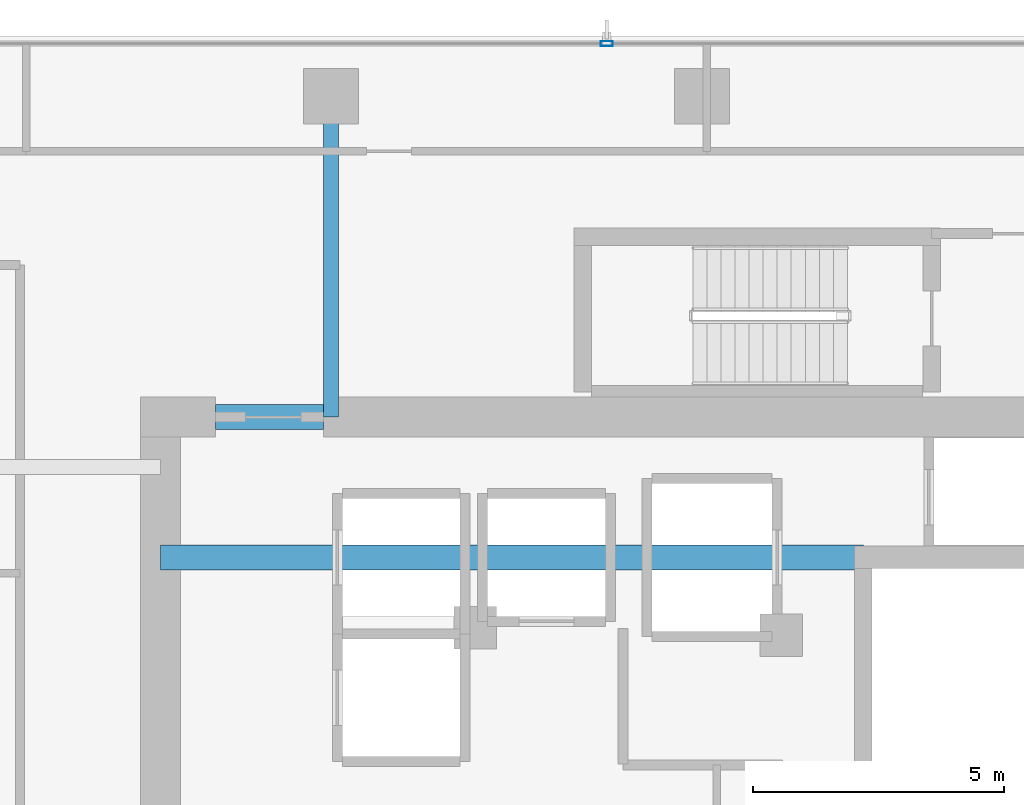
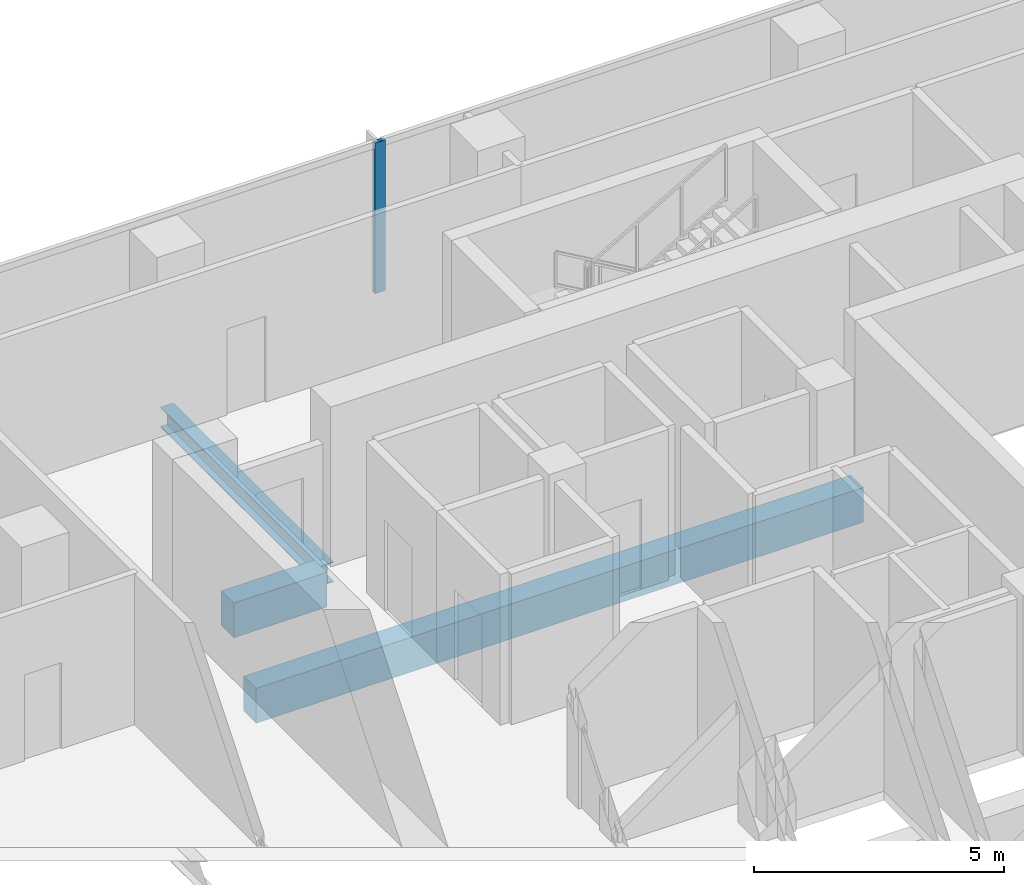
# One storey, part 16 of 27: 3 beams, 1 member, 1 element without a shape of its own.
"""IFC4 building model written with IfcOpenShell, lengths in metres."""

import ifcopenshell
import ifcopenshell.guid

model = None  # the IFC model being written
_history = None  # IfcOwnerHistory: only IFC2X3 demands one
_inside = {}  # id of a spatial element -> (the spatial element, [elements in it])
_under = {}  # id of a project, library or spatial element -> (it, [spatial elements below it])
_declared = {}  # id of a project -> (the project, [libraries it declares])
_typed = {}  # id of a type object -> (the type object, [elements of that type])
_made_of = {}  # id of a material, layer set ... -> (it, [elements and type objects made of it])


def new_model(schema):
    """Start an empty IFC model of exactly this schema.

    Asked for "IFC4X3", IfcOpenShell would pick the latest addendum, in which some entities
    have other attributes; the version numbers below select the first issue.
    IFC2X3 requires an IfcOwnerHistory on every rooted entity: one is made here for all.
    """
    global model, _history
    if schema == "IFC4X3":
        model = ifcopenshell.file(schema_version=(4, 3, 0, 0))
    else:
        model = ifcopenshell.file(schema=schema)
    _inside.clear()
    _under.clear()
    _declared.clear()
    _typed.clear()
    _made_of.clear()
    _history = None
    if model.schema == "IFC2X3":
        org = make("IfcOrganization", Name="unknown")
        user = make(
            "IfcPersonAndOrganization",
            ThePerson=make("IfcPerson", FamilyName="unknown"),
            TheOrganization=org,
        )
        app = make(
            "IfcApplication",
            ApplicationDeveloper=org,
            Version="unknown",
            ApplicationFullName="unknown",
            ApplicationIdentifier="unknown",
        )
        _history = make(
            "IfcOwnerHistory",
            OwningUser=user,
            OwningApplication=app,
            ChangeAction="ADDED",
            CreationDate=0,
        )
    return model


def make(cls, **values):
    """One entity of the class cls with the attributes given. An attribute that is None is left unset."""
    return model.create_entity(
        cls, **{name: value for name, value in values.items() if value is not None}
    )


def rooted(cls, **values):
    """An entity with a GlobalId (a new one), such as an element, a storey or a relation."""
    return make(cls, GlobalId=ifcopenshell.guid.new(), OwnerHistory=_history, **values)


def si_unit(unit_type, name, prefix=None):
    """IfcSIUnit, for example si_unit("LENGTHUNIT", "METRE", prefix="MILLI")."""
    return make("IfcSIUnit", UnitType=unit_type, Prefix=prefix, Name=name)


def assignment(units):
    """IfcUnitAssignment: the units of a project."""
    return None if units is None else make("IfcUnitAssignment", Units=units)


def point(xyz):
    """IfcCartesianPoint."""
    return None if xyz is None else make("IfcCartesianPoint", Coordinates=xyz)


def direction(xyz):
    """IfcDirection."""
    return None if xyz is None else make("IfcDirection", DirectionRatios=xyz)


def frame(location, z_axis=None, x_axis=None):
    """IfcAxis2Placement3D, a coordinate frame: its origin and axes. An axis left out is left unset."""
    return make(
        "IfcAxis2Placement3D",
        Location=point(location),
        Axis=direction(z_axis),
        RefDirection=direction(x_axis),
    )


def frame_2d(location, x_axis=None):
    """IfcAxis2Placement2D, a coordinate frame in the plane: its origin and x axis."""
    return make(
        "IfcAxis2Placement2D", Location=point(location), RefDirection=direction(x_axis)
    )


def origin():
    """The frame at (0, 0, 0) with its axes left unset."""
    return frame((0.0, 0.0, 0.0))


def origin_2d():
    """The frame at (0, 0) in the plane with its x axis left unset."""
    return frame_2d((0.0, 0.0))


def place(relative_to, where):
    """IfcLocalPlacement: puts the frame where relative to a parent placement (None: the world)."""
    return make(
        "IfcLocalPlacement", PlacementRelTo=relative_to, RelativePlacement=where
    )


def context(
    kind, dimensions, precision=None, world=None, true_north=None, identifier=None
):
    """IfcGeometricRepresentationContext, for example the 3D "Model" context."""
    return make(
        "IfcGeometricRepresentationContext",
        ContextIdentifier=identifier,
        ContextType=kind,
        CoordinateSpaceDimension=dimensions,
        Precision=precision,
        WorldCoordinateSystem=world,
        TrueNorth=true_north,
    )


def subcontext(parent, identifier, kind, view, scale=None):
    """IfcGeometricRepresentationSubContext, for example "Body" below "Model"."""
    return make(
        "IfcGeometricRepresentationSubContext",
        ContextIdentifier=identifier,
        ContextType=kind,
        ParentContext=parent,
        TargetScale=scale,
        TargetView=view,
    )


def project(units=None, contexts=None):
    """IfcProject with its units and contexts."""
    return rooted(
        "IfcProject",
        Name="project",
        RepresentationContexts=contexts,
        UnitsInContext=assignment(units),
    )


def spatial(cls, under=None, at=None, **own):
    """A site, building, storey or space (cls), placed at a placement, below another one or the project."""
    s = rooted(cls, ObjectPlacement=at, **own)
    if under is not None:
        _under.setdefault(under.id(), (under, []))[1].append(s)
    return s


def profile(cls, at=None, kind="AREA", **sizes):
    """A parametric profile (cls). Its sizes go by their IFC names, for example OverallWidth=200.0."""
    return make(cls, ProfileType=kind, Position=at, **sizes)


def rectangle(**sizes):
    """IfcRectangleProfileDef."""
    return profile("IfcRectangleProfileDef", **sizes)


def hollow_rectangle(**sizes):
    """IfcRectangleHollowProfileDef."""
    return profile("IfcRectangleHollowProfileDef", **sizes)


def i_section(**sizes):
    """IfcIShapeProfileDef."""
    return profile("IfcIShapeProfileDef", **sizes)


def extrude(swept, where, along, depth):
    """IfcExtrudedAreaSolid: the profile swept, set in the frame where, extruded along a direction by depth."""
    return make(
        "IfcExtrudedAreaSolid",
        SweptArea=swept,
        Position=where,
        ExtrudedDirection=direction(along),
        Depth=depth,
    )


def shape(context_of_items, identifier, shape_type, items):
    """IfcShapeRepresentation: the items that make up one representation, for example the "Body"."""
    return make(
        "IfcShapeRepresentation",
        ContextOfItems=context_of_items,
        RepresentationIdentifier=identifier,
        RepresentationType=shape_type,
        Items=items,
    )


def material(Name=None, Category=None):
    """IfcMaterial."""
    return make("IfcMaterial", Name=Name, Category=Category)


def layer(
    of_material, thickness, ventilated=None, Name=None, Category=None, Priority=None
):
    """IfcMaterialLayer: one layer of a wall or slab, of a material (None: an air gap)."""
    return make(
        "IfcMaterialLayer",
        Material=of_material,
        LayerThickness=thickness,
        IsVentilated=ventilated,
        Name=Name,
        Category=Category,
        Priority=Priority,
    )


def layer_set(layers, Name=None):
    """IfcMaterialLayerSet."""
    return make("IfcMaterialLayerSet", MaterialLayers=layers, LayerSetName=Name)


def material_profile(
    of_material, cross_section, Name=None, Category=None, Priority=None
):
    """IfcMaterialProfile: a cross section and its material."""
    return make(
        "IfcMaterialProfile",
        Name=Name,
        Material=of_material,
        Profile=cross_section,
        Priority=Priority,
        Category=Category,
    )


def profile_set(profiles, Name=None, composite=None):
    """IfcMaterialProfileSet."""
    return make(
        "IfcMaterialProfileSet",
        Name=Name,
        MaterialProfiles=profiles,
        CompositeProfile=composite,
    )


def made_of(thing, what):
    """Note that an element or type object is made of a material, layer set ...; save() writes the relation."""
    if what is not None:
        _made_of.setdefault(what.id(), (what, []))[1].append(thing)
    return thing


def type_object(cls, material=None, **own):
    """A type object (cls), such as IfcWallType, which elements share."""
    return made_of(rooted(cls, **own), material)


def element(
    cls,
    number,
    at=None,
    inside=None,
    cuts=None,
    type_object=None,
    material=None,
    context=None,
    identifier="Body",
    shape_type=None,
    held_by="IfcProductDefinitionShape",
    body=None,
    shapes=None,
    **own,
):
    """One element of the class cls, such as IfcWall. Its Tag is "e" and its number.

    at: its placement. inside: the storey or other place that contains it. cuts: it is an
    opening in that element (IfcRelVoidsElement). A single representation is given by context,
    identifier, shape_type and body (its items); several are given by shapes. held_by: the class
    of the entity that holds the representations. save() writes the other relations.
    """
    e = rooted(cls, Tag="e%d" % number, ObjectPlacement=at, **own)
    if body is not None:
        shapes = [shape(context, identifier, shape_type, body)]
    if shapes is not None:
        e.Representation = make(held_by, Representations=shapes)
    if inside is not None:
        _inside.setdefault(inside.id(), (inside, []))[1].append(e)
    if cuts is not None:
        rooted(
            "IfcRelVoidsElement", RelatingBuildingElement=cuts, RelatedOpeningElement=e
        )
    if type_object is not None:
        _typed.setdefault(type_object.id(), (type_object, []))[1].append(e)
    return made_of(e, material)


def aggregate(whole, parts):
    """IfcRelAggregates: a whole, such as a stair, and the parts it consists of."""
    return rooted("IfcRelAggregates", RelatingObject=whole, RelatedObjects=parts)


def save(model, path):
    """Write the relations noted so far, then the file.

    IfcRelAggregates (storeys below a building ...), IfcRelContainedInSpatialStructure (elements
    in a storey), IfcRelDefinesByType, IfcRelAssociatesMaterial and IfcRelDeclares: one each for
    every whole, place, type object, material and project.
    """
    for whole, parts in _under.values():
        aggregate(whole, parts)
    for where, things in _inside.values():
        rooted(
            "IfcRelContainedInSpatialStructure",
            RelatedElements=things,
            RelatingStructure=where,
        )
    for kind, things in _typed.values():
        rooted("IfcRelDefinesByType", RelatedObjects=things, RelatingType=kind)
    for what, things in _made_of.values():
        rooted("IfcRelAssociatesMaterial", RelatedObjects=things, RelatingMaterial=what)
    for by, libraries in _declared.values():
        rooted("IfcRelDeclares", RelatingContext=by, RelatedDefinitions=libraries)
    model.write(path)


model = new_model("IFC4")

# Units and contexts
model_context = context("Model", 3, precision=1e-05, world=origin(), true_north=direction((0.0, 1.0)))
body_context = subcontext(model_context, "Body", "Model", "MODEL_VIEW")
ifc_project = project(units=[si_unit("LENGTHUNIT", "METRE"), si_unit("AREAUNIT", "SQUARE_METRE"), si_unit("VOLUMEUNIT", "CUBIC_METRE"), si_unit("PLANEANGLEUNIT", "RADIAN"), si_unit("MASSUNIT", "GRAM", prefix="KILO")], contexts=[model_context])

# Site, building, storey
site_placement = place(None, origin())
site = spatial("IfcSite", under=ifc_project, at=site_placement, CompositionType="ELEMENT")
building_placement = place(site_placement, origin())
building = spatial("IfcBuilding", under=site, at=building_placement, Name="Khorvyn Point Tower", CompositionType="ELEMENT")
storey_placement = place(building_placement, frame((0.0, 0.0, 203.10009765625)))
storey = spatial("IfcBuildingStorey", under=building, at=storey_placement, Name="L50", CompositionType="ELEMENT", Elevation=203.10009765625)

# Curtain wall, member
ifc_material_1 = material(Name="Anodised aluminium 6063-T6 and laminated Low-E glass", Category="aluminium")
ifc_layer = layer(ifc_material_1, 0.18994140625)
ifc_layer_set = layer_set([ifc_layer], Name="Stick-Built Acoustic Curtain Wall CW-SYS-03")
curtain_wall_type = type_object("IfcCurtainWallType", Name="Stick-Built Acoustic Curtain Wall CW-SYS-03", PredefinedType="NOTDEFINED", material=ifc_layer_set)
curtain_wall_placement = place(storey_placement, origin())
curtain_wall = element("IfcCurtainWall", 1, at=curtain_wall_placement, inside=storey, type_object=curtain_wall_type, Name="Curtain Wall", PredefinedType="NOTDEFINED")
ifc_material_2 = material(Name="Anodised aluminium 6063-T6", Category="aluminium")
ifc_material_profile_1 = material_profile(ifc_material_2, hollow_rectangle(XDim=0.10009765625, YDim=0.239990234375, WallThickness=0.0048828125, at=origin_2d()))
ifc_profile_set_1 = profile_set([ifc_material_profile_1], Name="Anodised aluminium 6063-T6 ALU-MUL-100x240")
member_type = type_object("IfcMemberType", Name="Anodised Aluminium 6063-T6 Mullion ALU-MUL-100x240", PredefinedType="MULLION", material=ifc_profile_set_1)
member_placement = place(storey_placement, frame((-1.89990234375, 15.85009765625, 0.0), z_axis=(0.0, 0.0, 1.0), x_axis=(0.0, 1.0, 0.0)))
member = element("IfcMember", 2, at=member_placement, type_object=member_type, Name="Transom", PredefinedType="MULLION", context=body_context, shape_type="SweptSolid", body=[
    extrude(hollow_rectangle(XDim=0.10009765625, YDim=0.239990234375, WallThickness=0.0048828125, at=origin_2d()), origin(), (0.0, 0.0, 1.0), 3.679931640625),
])
aggregate(curtain_wall, [member])

# Beams
ifc_material_3 = material(Name="Concrete C45/55", Category="concrete")
ifc_material_profile_2 = material_profile(ifc_material_3, rectangle(XDim=0.5, YDim=0.85009765625, at=origin_2d()))
ifc_profile_set_2 = profile_set([ifc_material_profile_2], Name="Concrete C45/55 RC500x850")
beam_type_1 = type_object("IfcBeamType", Name="Concrete C45/55 Beam RC500x850", PredefinedType="BEAM", material=ifc_profile_set_2)
beam_1_placement = place(storey_placement, frame((-10.800048828125, 5.60009765625, -0.64501953125), z_axis=(1.0, 0.0, 0.0), x_axis=(0.0, 1.0, 0.0)))
element("IfcBeam", 3, at=beam_1_placement, inside=storey, type_object=beam_type_1, Name="L50 Core Internal Tie Girder N", PredefinedType="BEAM", context=body_context, shape_type="SweptSolid", body=[
    extrude(rectangle(XDim=0.5, YDim=0.85009765625, at=origin_2d()), origin(), (0.0, 0.0, 1.0), 14.02001953125),
])
beam_2_placement = place(storey_placement, frame((-9.699951171875, 8.39990234375, -0.64501953125), z_axis=(1.0, 0.0, 0.0), x_axis=(0.0, 1.0, 0.0)))
element("IfcBeam", 4, at=beam_2_placement, inside=storey, type_object=beam_type_1, Name="L50 Core Northwest Portal Coupling Beam", PredefinedType="BEAM", context=body_context, shape_type="SweptSolid", body=[
    extrude(rectangle(XDim=0.5, YDim=0.85009765625, at=origin_2d()), origin(), (0.0, 0.0, 1.0), 2.14990234375),
])
ifc_material_4 = material(Name="Steel S355", Category="steel")
ifc_material_profile_3 = material_profile(ifc_material_4, i_section(OverallWidth=0.300048828125, OverallDepth=0.488037109375, WebThickness=0.010986328125, FlangeThickness=0.01806640625, at=origin_2d()))
ifc_profile_set_3 = profile_set([ifc_material_profile_3], Name="Steel S355 H488x300x11x18")
beam_type_2 = type_object("IfcBeamType", Name="Steel S355 Spandrel H488x300x11x18", PredefinedType="SPANDREL", material=ifc_profile_set_3)
beam_3_placement = place(storey_placement, frame((-7.39990234375, 8.39990234375, -0.464111328125), z_axis=(0.0, 1.0, 0.0), x_axis=(-1.0, 0.0, 0.0)))
element("IfcBeam", 5, at=beam_3_placement, inside=storey, type_object=beam_type_2, Name="Beam", PredefinedType="SPANDREL", context=body_context, shape_type="SweptSolid", body=[
    extrude(i_section(OverallWidth=0.300048828125, OverallDepth=0.488037109375, WebThickness=0.010986328125, FlangeThickness=0.01806640625, at=origin_2d()), origin(), (0.0, 0.0, 1.0), 6.400146484375),
])

save(model, "model.ifc")
